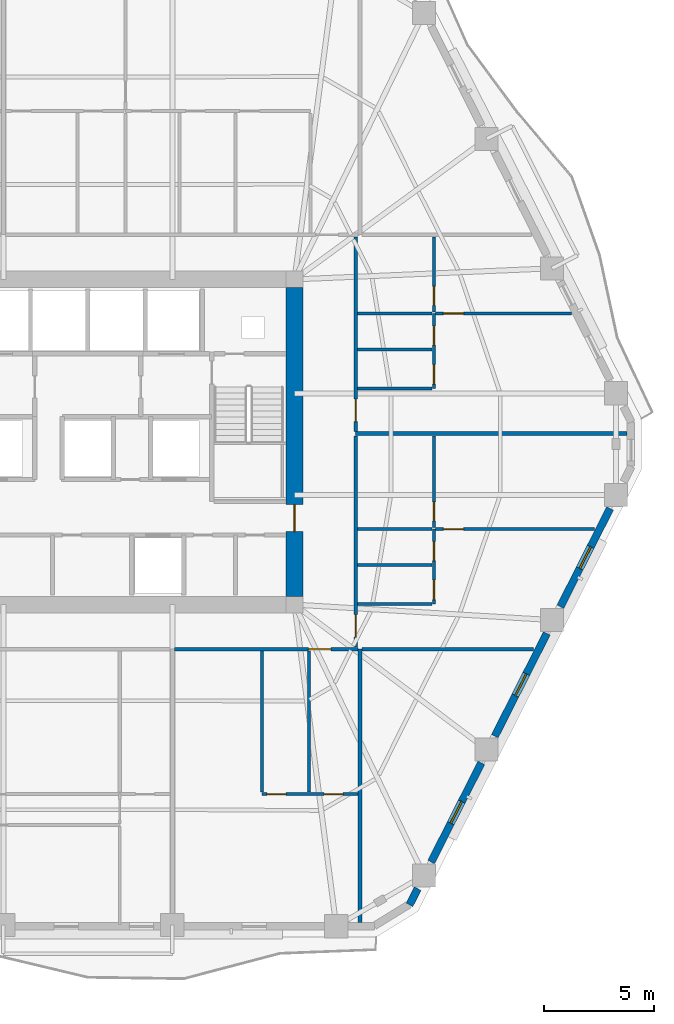
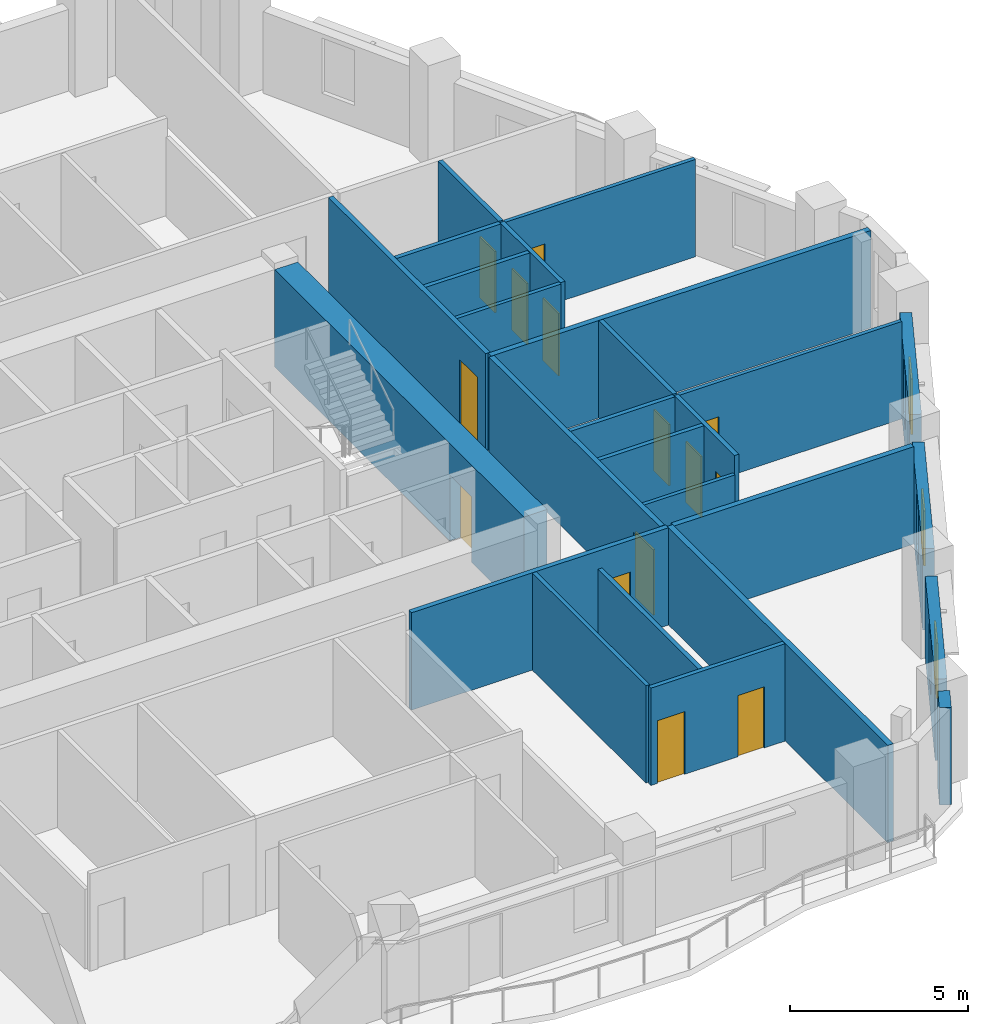
# One storey, part 6 of 12: 26 walls, 14 doors, 3 windows, 17 openings.
"""IFC4 building model written with IfcOpenShell, lengths in metres."""

from ifc_helpers import new_model, si_unit, direction, frame, frame_2d, origin, place, context, subcontext, project, spatial, rectangle, extrude, material, layer, layer_set, type_object, element, fill, save


model = new_model("IFC4")

# Units and contexts
model_context = context("Model", 3, precision=1e-05, world=origin(), true_north=direction((0.0, 1.0)))
body_context = subcontext(model_context, "Body", "Model", "MODEL_VIEW")
ifc_project = project(units=[si_unit("LENGTHUNIT", "METRE"), si_unit("AREAUNIT", "SQUARE_METRE"), si_unit("VOLUMEUNIT", "CUBIC_METRE"), si_unit("PLANEANGLEUNIT", "RADIAN"), si_unit("MASSUNIT", "GRAM", prefix="KILO")], contexts=[model_context])

# Site, building, storey
site_placement = place(None, origin())
site = spatial("IfcSite", under=ifc_project, at=site_placement, CompositionType="ELEMENT")
building_placement = place(site_placement, origin())
building = spatial("IfcBuilding", under=site, at=building_placement, Name="Cinnabar Lancet Tower", CompositionType="ELEMENT")
storey_placement = place(building_placement, frame((0.0, 0.0, 109.050048828125)))
storey = spatial("IfcBuildingStorey", under=building, at=storey_placement, Name="L28", CompositionType="ELEMENT", Elevation=109.050048828125)

# Wall, opening, door
ifc_material_1 = material(Name="Acoustic twin-stud gypsum partition", Category="gypsum")
ifc_layer_1 = layer(ifc_material_1, 0.159912109375)
ifc_layer_set_1 = layer_set([ifc_layer_1], Name="Acoustic twin-stud gypsum partition")
wall_type_1 = type_object("IfcWallType", Name="ARC-WL-CORR-160", PredefinedType="PARTITIONING", material=ifc_layer_set_1)
wall_1_placement = place(storey_placement, frame((36.326904296875, 16.5, 0.0), z_axis=(0.0, 0.0, 1.0), x_axis=(1.0, 0.0, 0.0)))
wall_1 = element("IfcWall", 1, at=wall_1_placement, inside=storey, type_object=wall_type_1, Name="L28 Unit S02 Corridor Wall", PredefinedType="PARTITIONING", context=body_context, shape_type="SweptSolid", body=[
    extrude(rectangle(XDim=8.328125, YDim=0.159912109375, at=frame_2d((4.1640625, 0.0))), origin(), (0.0, 0.0, 1.0), 3.33984375),
])
opening_1_placement = place(wall_1_placement, frame((6.072998046875, 0.0, 0.0)))
opening_1 = element("IfcOpeningElement", 2, at=opening_1_placement, cuts=wall_1, Name="Opening UD-01", PredefinedType="OPENING", context=body_context, shape_type="SweptSolid", body=[
    extrude(rectangle(XDim=1.02001953125, YDim=2.25, at=frame_2d((0.510009765625, 1.125))), frame((0.0, 0.08984375, 0.0), z_axis=(0.0, -1.0, 0.0), x_axis=(1.0, 0.0, 0.0)), (0.0, 0.0, 1.0), 0.179931640625),
])
ifc_material_2 = material(Name="Solid timber fire-rated apartment entrance door", Category="wood")
door_type_1 = type_object("IfcDoorType", Name="ARC-DR-UNIT", OperationType="NOTDEFINED", PredefinedType="DOOR", material=ifc_material_2)
door_1_placement = place(opening_1_placement, origin())
door_1 = element("IfcDoor", 3, at=door_1_placement, inside=storey, type_object=door_type_1, Name="DR-L28-S02-ENT", OperationType="SINGLE_SWING_RIGHT", OverallHeight=2.25, OverallWidth=1.02001953125, PredefinedType="DOOR", context=body_context, shape_type="SweptSolid", body=[
    extrude(rectangle(XDim=1.02001953125, YDim=2.25, at=frame_2d((0.510009765625, 1.125))), frame((0.0, 0.02490234375, 0.0), z_axis=(0.0, -1.0, 0.0), x_axis=(1.0, 0.0, 0.0)), (0.0, 0.0, 1.0), 0.050048828125),
])
fill(opening_1, door_1)

wall_2_placement = place(storey_placement, frame((44.550048828125, 16.594970703125, 0.0), z_axis=(0.0, 0.0, 1.0), x_axis=(0.0, 1.0, 0.0)))
wall_2 = element("IfcWall", 4, at=wall_2_placement, inside=storey, type_object=wall_type_1, Name="UW-L28-E01-COR", PredefinedType="PARTITIONING", context=body_context, shape_type="SweptSolid", body=[
    extrude(rectangle(XDim=9.5859375, YDim=0.159912109375, at=frame_2d((4.79296875, 0.0))), origin(), (0.0, 0.0, 1.0), 3.33984375),
])
opening_2_placement = place(wall_2_placement, frame((0.449951171875, 0.0, 0.0)))
opening_2 = element("IfcOpeningElement", 5, at=opening_2_placement, cuts=wall_2, Name="Opening UD-01", PredefinedType="OPENING", context=body_context, shape_type="SweptSolid", body=[
    extrude(rectangle(XDim=1.02001953125, YDim=2.25, at=frame_2d((0.510009765625, 1.125))), frame((0.0, 0.08984375, 0.0), z_axis=(0.0, -1.0, 0.0), x_axis=(1.0, 0.0, 0.0)), (0.0, 0.0, 1.0), 0.179931640625),
])
door_2_placement = place(opening_2_placement, origin())
door_2 = element("IfcDoor", 6, at=door_2_placement, inside=storey, type_object=door_type_1, Name="DR-L28-E01-ENT", OperationType="SINGLE_SWING_RIGHT", OverallHeight=2.25, OverallWidth=1.02001953125, PredefinedType="DOOR", context=body_context, shape_type="SweptSolid", body=[
    extrude(rectangle(XDim=1.02001953125, YDim=2.25, at=frame_2d((0.510009765625, 1.125))), frame((0.0, 0.02490234375, 0.0), z_axis=(0.0, -1.0, 0.0), x_axis=(1.0, 0.0, 0.0)), (0.0, 0.0, 1.0), 0.050048828125),
])
fill(opening_2, door_2)

wall_3_placement = place(storey_placement, frame((44.550048828125, 26.37109375, 0.0), z_axis=(0.0, 0.0, 1.0), x_axis=(0.0, 1.0, 0.0)))
wall_3 = element("IfcWall", 7, at=wall_3_placement, inside=storey, type_object=wall_type_1, Name="UW-L28-E02-COR", PredefinedType="PARTITIONING", context=body_context, shape_type="SweptSolid", body=[
    extrude(rectangle(XDim=8.833984375, YDim=0.159912109375, at=frame_2d((4.4169921875, 0.0))), origin(), (0.0, 0.0, 1.0), 3.33984375),
])
opening_3_placement = place(wall_3_placement, frame((0.449951171875, 0.0, 0.0)))
opening_3 = element("IfcOpeningElement", 8, at=opening_3_placement, cuts=wall_3, Name="Opening UD-01", PredefinedType="OPENING", context=body_context, shape_type="SweptSolid", body=[
    extrude(rectangle(XDim=1.02001953125, YDim=2.25, at=frame_2d((0.510009765625, 1.125))), frame((0.0, 0.08984375, 0.0), z_axis=(0.0, -1.0, 0.0), x_axis=(1.0, 0.0, 0.0)), (0.0, 0.0, 1.0), 0.179931640625),
])
door_3_placement = place(opening_3_placement, origin())
door_3 = element("IfcDoor", 9, at=door_3_placement, inside=storey, type_object=door_type_1, Name="DR-L28-E02-ENT", OperationType="SINGLE_SWING_LEFT", OverallHeight=2.25, OverallWidth=1.02001953125, PredefinedType="DOOR", context=body_context, shape_type="SweptSolid", body=[
    extrude(rectangle(XDim=1.02001953125, YDim=2.25, at=frame_2d((0.510009765625, 1.125))), frame((0.0, 0.02490234375, 0.0), z_axis=(0.0, -1.0, 0.0), x_axis=(1.0, 0.0, 0.0)), (0.0, 0.0, 1.0), 0.050048828125),
])
fill(opening_3, door_3)

# Walls
ifc_material_3 = material(Name="Fire-rated twin-frame acoustic drywall", Category="gypsum")
ifc_layer_2 = layer(ifc_material_3, 0.179931640625)
ifc_layer_set_2 = layer_set([ifc_layer_2], Name="Fire-rated twin-frame acoustic drywall")
wall_type_2 = type_object("IfcWallType", Name="ARC-WL-PARTY-180", PredefinedType="PARTITIONING", material=ifc_layer_set_2)
wall_4_placement = place(storey_placement, frame((44.75, 4.10498046875, 0.0), z_axis=(0.0, 0.0, 1.0), x_axis=(0.0, 1.0, 0.0)))
element("IfcWall", 10, at=wall_4_placement, inside=storey, type_object=wall_type_2, Name="PW-L28-SPTY-448", PredefinedType="PARTITIONING", context=body_context, shape_type="SweptSolid", body=[
    extrude(rectangle(XDim=12.39501953125, YDim=0.179931640625, at=frame_2d((6.197509765625, 0.0))), origin(), (0.0, 0.0, 1.0), 3.33984375),
])
wall_5_placement = place(storey_placement, frame((44.844970703125, 16.5, 0.0), z_axis=(0.0, 0.0, 1.0), x_axis=(1.0, 0.0, 0.0)))
element("IfcWall", 11, at=wall_5_placement, inside=storey, type_object=wall_type_2, Name="PW-L28-ESB", PredefinedType="PARTITIONING", context=body_context, shape_type="SweptSolid", body=[
    extrude(rectangle(XDim=7.77001953125, YDim=0.179931640625, at=frame_2d((3.885009765625, 0.0))), origin(), (0.0, 0.0, 1.0), 3.33984375),
])
wall_6_placement = place(storey_placement, frame((44.550048828125, 26.27587890625, 0.0), z_axis=(0.0, 0.0, 1.0), x_axis=(1.0, 0.0, 0.0)))
element("IfcWall", 12, at=wall_6_placement, inside=storey, type_object=wall_type_2, Name="PW-L28-EPTY-1", PredefinedType="PARTITIONING", context=body_context, shape_type="SweptSolid", body=[
    extrude(rectangle(XDim=12.307861328125, YDim=0.179931640625, at=frame_2d((6.15380859375, 0.0))), origin(), (0.0, 0.0, 1.0), 3.33984375),
])
ifc_material_4 = material(Name="Gypsum plasterboard stud partition", Category="gypsum")
ifc_layer_3 = layer(ifc_material_4, 0.125)
ifc_layer_set_3 = layer_set([ifc_layer_3], Name="Gypsum plasterboard stud partition")
wall_type_3 = type_object("IfcWallType", Name="ARC-WL-UNIT-125", PredefinedType="PARTITIONING", material=ifc_layer_set_3)
wall_7_placement = place(storey_placement, frame((40.300048828125, 10.035888671875, 0.0), z_axis=(0.0, 0.0, 1.0), x_axis=(0.0, 1.0, 0.0)))
element("IfcWall", 13, at=wall_7_placement, inside=storey, type_object=wall_type_3, Name="UW-L28-S02-FOYE", PredefinedType="PARTITIONING", context=body_context, shape_type="SweptSolid", body=[
    extrude(rectangle(XDim=6.379150390625, YDim=0.125, at=frame_2d((3.189453125, 0.0))), origin(), (0.0, 0.0, 1.0), 3.33984375),
])
wall_8_placement = place(storey_placement, frame((44.635009765625, 18.550048828125, 0.0), z_axis=(0.0, 0.0, 1.0), x_axis=(1.0, 0.0, 0.0)))
element("IfcWall", 14, at=wall_8_placement, inside=storey, type_object=wall_type_3, Name="UW-L28-E01-FOYN", PredefinedType="PARTITIONING", context=body_context, shape_type="SweptSolid", body=[
    extrude(rectangle(XDim=3.3798828125, YDim=0.125, at=frame_2d((1.68994140625, 0.0))), origin(), (0.0, 0.0, 1.0), 2.721923828125),
])

# Wall, opening, door
wall_9_placement = place(storey_placement, frame((48.175048828125, 21.949951171875, 0.0), z_axis=(0.0, 0.0, 1.0), x_axis=(1.0, 0.0, 0.0)))
wall_9 = element("IfcWall", 15, at=wall_9_placement, inside=storey, type_object=wall_type_3, Name="UW-L28-E01-MBN", PredefinedType="PARTITIONING", context=body_context, shape_type="SweptSolid", body=[
    extrude(rectangle(XDim=7.212890625, YDim=0.125, at=frame_2d((3.6064453125, 0.0))), origin(), (0.0, 0.0, 1.0), 3.33984375),
])
opening_4_placement = place(wall_9_placement, frame((0.35009765625, 0.0, 0.0)))
opening_4 = element("IfcOpeningElement", 16, at=opening_4_placement, cuts=wall_9, Name="Opening RD-01", PredefinedType="OPENING", context=body_context, shape_type="SweptSolid", body=[
    extrude(rectangle(XDim=0.919921875, YDim=2.14990234375, at=frame_2d((0.4599609375, 1.074951171875))), frame((0.0, 0.072509765625, 0.0), z_axis=(0.0, -1.0, 0.0), x_axis=(1.0, 0.0, 0.0)), (0.0, 0.0, 1.0), 0.14501953125),
])
ifc_material_5 = material(Name="Engineered timber bedroom door", Category="wood")
door_type_2 = type_object("IfcDoorType", Name="ARC-DR-ROOM", OperationType="NOTDEFINED", PredefinedType="DOOR", material=ifc_material_5)
door_4_placement = place(opening_4_placement, origin())
door_4 = element("IfcDoor", 17, at=door_4_placement, inside=storey, type_object=door_type_2, Name="DR-L28-E01-MBD", OperationType="SINGLE_SWING_RIGHT", OverallHeight=2.14990234375, OverallWidth=0.919921875, PredefinedType="DOOR", context=body_context, shape_type="SweptSolid", body=[
    extrude(rectangle(XDim=0.919921875, YDim=2.14990234375, at=frame_2d((0.4599609375, 1.074951171875))), frame((0.0, 0.02490234375, 0.0), z_axis=(0.0, -1.0, 0.0), x_axis=(1.0, 0.0, 0.0)), (0.0, 0.0, 1.0), 0.050048828125),
])
fill(opening_4, door_4)

# Wall
wall_10_placement = place(storey_placement, frame((44.635009765625, 28.325927734375, 0.0), z_axis=(0.0, 0.0, 1.0), x_axis=(1.0, 0.0, 0.0)))
element("IfcWall", 18, at=wall_10_placement, inside=storey, type_object=wall_type_3, Name="UW-L28-E02-FOYN", PredefinedType="PARTITIONING", context=body_context, shape_type="SweptSolid", body=[
    extrude(rectangle(XDim=3.3798828125, YDim=0.125, at=frame_2d((1.68994140625, 0.0))), origin(), (0.0, 0.0, 1.0), 3.33984375),
])

# Wall, opening, door
wall_11_placement = place(storey_placement, frame((48.175048828125, 31.72607421875, 0.0), z_axis=(0.0, 0.0, 1.0), x_axis=(1.0, 0.0, 0.0)))
wall_11 = element("IfcWall", 19, at=wall_11_placement, inside=storey, type_object=wall_type_3, Name="UW-L28-E02-MBN", PredefinedType="PARTITIONING", context=body_context, shape_type="SweptSolid", body=[
    extrude(rectangle(XDim=6.161865234375, YDim=0.125, at=frame_2d((3.0810546875, 0.0))), origin(), (0.0, 0.0, 1.0), 3.33984375),
])
opening_5_placement = place(wall_11_placement, frame((0.35009765625, 0.0, 0.0)))
opening_5 = element("IfcOpeningElement", 20, at=opening_5_placement, cuts=wall_11, Name="Opening RD-01", PredefinedType="OPENING", context=body_context, shape_type="SweptSolid", body=[
    extrude(rectangle(XDim=0.919921875, YDim=2.14990234375, at=frame_2d((0.4599609375, 1.074951171875))), frame((0.0, 0.072509765625, 0.0), z_axis=(0.0, -1.0, 0.0), x_axis=(1.0, 0.0, 0.0)), (0.0, 0.0, 1.0), 0.14501953125),
])
door_5_placement = place(opening_5_placement, origin())
door_5 = element("IfcDoor", 21, at=door_5_placement, inside=storey, type_object=door_type_2, Name="DR-L28-E02-MBD", OperationType="SINGLE_SWING_LEFT", OverallHeight=2.14990234375, OverallWidth=0.919921875, PredefinedType="DOOR", context=body_context, shape_type="SweptSolid", body=[
    extrude(rectangle(XDim=0.919921875, YDim=2.14990234375, at=frame_2d((0.4599609375, 1.074951171875))), frame((0.0, 0.02490234375, 0.0), z_axis=(0.0, -1.0, 0.0), x_axis=(1.0, 0.0, 0.0)), (0.0, 0.0, 1.0), 0.050048828125),
])
fill(opening_5, door_5)

# Wall, openings, doors
ifc_material_6 = material(Name="Moisture-resistant cement-board plumbing wall", Category="masonry")
ifc_layer_4 = layer(ifc_material_6, 0.139892578125)
ifc_layer_set_4 = layer_set([ifc_layer_4], Name="Moisture-resistant cement-board plumbing wall")
wall_type_4 = type_object("IfcWallType", Name="ARC-WL-WET-140", PredefinedType="PLUMBINGWALL", material=ifc_layer_set_4)
wall_12_placement = place(storey_placement, frame((40.300048828125, 9.930908203125, 0.0), z_axis=(0.0, 0.0, 1.0), x_axis=(1.0, 0.0, 0.0)))
wall_12 = element("IfcWall", 22, at=wall_12_placement, inside=storey, type_object=wall_type_4, Name="UW-L28-S02-SPL", PredefinedType="PLUMBINGWALL", context=body_context, shape_type="SweptSolid", body=[
    extrude(rectangle(XDim=4.35498046875, YDim=0.139892578125, at=frame_2d((2.177490234375, 0.0))), origin(), (0.0, 0.0, 1.0), 3.33984375),
])
opening_6_placement = place(wall_12_placement, frame((2.821044921875, 0.0, 0.0)))
opening_6 = element("IfcOpeningElement", 23, at=opening_6_placement, cuts=wall_12, Name="Opening BD-01", PredefinedType="OPENING", context=body_context, shape_type="SweptSolid", body=[
    extrude(rectangle(XDim=0.860107421875, YDim=2.10009765625, at=frame_2d((0.43017578125, 1.050048828125))), frame((0.0, 0.079833984375, 0.0), z_axis=(0.0, -1.0, 0.0), x_axis=(1.0, 0.0, 0.0)), (0.0, 0.0, 1.0), 0.159912109375),
])
opening_7_placement = place(wall_12_placement, frame((0.219970703125, 0.0, 0.0)))
opening_7 = element("IfcOpeningElement", 24, at=opening_7_placement, cuts=wall_12, Name="Opening RD-02", PredefinedType="OPENING", context=body_context, shape_type="SweptSolid", body=[
    extrude(rectangle(XDim=0.8798828125, YDim=2.14990234375, at=frame_2d((0.43994140625, 1.074951171875))), frame((0.0, 0.079833984375, 0.0), z_axis=(0.0, -1.0, 0.0), x_axis=(1.0, 0.0, 0.0)), (0.0, 0.0, 1.0), 0.159912109375),
])
ifc_material_7 = material(Name="Moisture-resistant timber bathroom door", Category="wood")
door_type_3 = type_object("IfcDoorType", Name="ARC-DR-BATH", OperationType="NOTDEFINED", PredefinedType="DOOR", material=ifc_material_7)
door_6_placement = place(opening_6_placement, origin())
door_6 = element("IfcDoor", 25, at=door_6_placement, inside=storey, type_object=door_type_3, Name="DR-L28-S02-BTH", OperationType="SINGLE_SWING_RIGHT", OverallHeight=2.10009765625, OverallWidth=0.860107421875, PredefinedType="DOOR", context=body_context, shape_type="SweptSolid", body=[
    extrude(rectangle(XDim=0.860107421875, YDim=2.10009765625, at=frame_2d((0.43017578125, 1.050048828125))), frame((0.0, 0.02490234375, 0.0), z_axis=(0.0, -1.0, 0.0), x_axis=(1.0, 0.0, 0.0)), (0.0, 0.0, 1.0), 0.050048828125),
])
fill(opening_6, door_6)
ifc_material_8 = material(Name="Engineered timber study door", Category="wood")
door_type_4 = type_object("IfcDoorType", Name="ARC-DR-STUDY", OperationType="NOTDEFINED", PredefinedType="DOOR", material=ifc_material_8)
door_7_placement = place(opening_7_placement, origin())
door_7 = element("IfcDoor", 26, at=door_7_placement, inside=storey, type_object=door_type_4, Name="DR-L28-S02-KIT", OperationType="SINGLE_SWING_LEFT", OverallHeight=2.14990234375, OverallWidth=0.8798828125, PredefinedType="DOOR", context=body_context, shape_type="SweptSolid", body=[
    extrude(rectangle(XDim=0.8798828125, YDim=2.14990234375, at=frame_2d((0.43994140625, 1.074951171875))), frame((0.0, 0.02490234375, 0.0), z_axis=(0.0, -1.0, 0.0), x_axis=(1.0, 0.0, 0.0)), (0.0, 0.0, 1.0), 0.050048828125),
])
fill(opening_7, door_7)

# Wall
wall_13_placement = place(storey_placement, frame((42.43603515625, 10.035888671875, 0.0), z_axis=(0.0, 0.0, 1.0), x_axis=(0.0, 1.0, 0.0)))
element("IfcWall", 27, at=wall_13_placement, inside=storey, type_object=wall_type_4, Name="UW-L28-S02-KDV", PredefinedType="PLUMBINGWALL", context=body_context, shape_type="SweptSolid", body=[
    extrude(rectangle(XDim=6.379150390625, YDim=0.139892578125, at=frame_2d((3.189453125, 0.0))), origin(), (0.0, 0.0, 1.0), 2.721923828125),
])

# Wall, openings, doors
wall_14_placement = place(storey_placement, frame((48.10009765625, 18.550048828125, 0.0), z_axis=(0.0, 0.0, 1.0), x_axis=(0.0, 1.0, 0.0)))
wall_14 = element("IfcWall", 28, at=wall_14_placement, inside=storey, type_object=wall_type_4, Name="UW-L28-E01-SPL", PredefinedType="PLUMBINGWALL", context=body_context, shape_type="SweptSolid", body=[
    extrude(rectangle(XDim=3.39990234375, YDim=0.139892578125, at=frame_2d((1.699951171875, 0.0))), origin(), (0.0, 0.0, 1.0), 3.33984375),
])
opening_8_placement = place(wall_14_placement, frame((0.199951171875, 0.0, 0.0)))
opening_8 = element("IfcOpeningElement", 29, at=opening_8_placement, cuts=wall_14, Name="Opening RD-02", PredefinedType="OPENING", context=body_context, shape_type="SweptSolid", body=[
    extrude(rectangle(XDim=0.8798828125, YDim=2.14990234375, at=frame_2d((0.43994140625, 1.074951171875))), frame((0.0, 0.079833984375, 0.0), z_axis=(0.0, -1.0, 0.0), x_axis=(1.0, 0.0, 0.0)), (0.0, 0.0, 1.0), 0.159912109375),
])
opening_9_placement = place(wall_14_placement, frame((1.968017578125, 0.0, 0.0)))
opening_9 = element("IfcOpeningElement", 30, at=opening_9_placement, cuts=wall_14, Name="Opening BD-01", PredefinedType="OPENING", context=body_context, shape_type="SweptSolid", body=[
    extrude(rectangle(XDim=0.860107421875, YDim=2.10009765625, at=frame_2d((0.43017578125, 1.050048828125))), frame((0.0, 0.079833984375, 0.0), z_axis=(0.0, -1.0, 0.0), x_axis=(1.0, 0.0, 0.0)), (0.0, 0.0, 1.0), 0.159912109375),
])
door_8_placement = place(opening_9_placement, origin())
door_8 = element("IfcDoor", 31, at=door_8_placement, inside=storey, type_object=door_type_3, Name="DR-L28-E01-BTH", OperationType="SINGLE_SWING_RIGHT", OverallHeight=2.10009765625, OverallWidth=0.860107421875, PredefinedType="DOOR", context=body_context, shape_type="SweptSolid", body=[
    extrude(rectangle(XDim=0.860107421875, YDim=2.10009765625, at=frame_2d((0.43017578125, 1.050048828125))), frame((0.0, 0.02490234375, 0.0), z_axis=(0.0, -1.0, 0.0), x_axis=(1.0, 0.0, 0.0)), (0.0, 0.0, 1.0), 0.050048828125),
])
fill(opening_9, door_8)
door_9_placement = place(opening_8_placement, origin())
door_9 = element("IfcDoor", 32, at=door_9_placement, inside=storey, type_object=door_type_4, Name="DR-L28-E01-KIT", OperationType="SINGLE_SWING_LEFT", OverallHeight=2.14990234375, OverallWidth=0.8798828125, PredefinedType="DOOR", context=body_context, shape_type="SweptSolid", body=[
    extrude(rectangle(XDim=0.8798828125, YDim=2.14990234375, at=frame_2d((0.43994140625, 1.074951171875))), frame((0.0, 0.02490234375, 0.0), z_axis=(0.0, -1.0, 0.0), x_axis=(1.0, 0.0, 0.0)), (0.0, 0.0, 1.0), 0.050048828125),
])
fill(opening_8, door_9)

# Wall, opening, door
wall_15_placement = place(storey_placement, frame((48.10009765625, 22.02001953125, 0.0), z_axis=(0.0, 0.0, 1.0), x_axis=(0.0, 1.0, 0.0)))
wall_15 = element("IfcWall", 33, at=wall_15_placement, inside=storey, type_object=wall_type_4, Name="UW-L28-E01-SPM", PredefinedType="PLUMBINGWALL", context=body_context, shape_type="SweptSolid", body=[
    extrude(rectangle(XDim=4.160888671875, YDim=0.139892578125, at=frame_2d((2.08056640625, 0.0))), origin(), (0.0, 0.0, 1.0), 3.33984375),
])
opening_10_placement = place(wall_15_placement, frame((0.300048828125, 0.0, 0.0)))
opening_10 = element("IfcOpeningElement", 34, at=opening_10_placement, cuts=wall_15, Name="Opening BD-01", PredefinedType="OPENING", context=body_context, shape_type="SweptSolid", body=[
    extrude(rectangle(XDim=0.860107421875, YDim=2.10009765625, at=frame_2d((0.43017578125, 1.050048828125))), frame((0.0, 0.079833984375, 0.0), z_axis=(0.0, -1.0, 0.0), x_axis=(1.0, 0.0, 0.0)), (0.0, 0.0, 1.0), 0.159912109375),
])
door_10_placement = place(opening_10_placement, origin())
door_10 = element("IfcDoor", 35, at=door_10_placement, inside=storey, type_object=door_type_3, Name="DR-L28-E01-ENS", OperationType="SINGLE_SWING_RIGHT", OverallHeight=2.10009765625, OverallWidth=0.860107421875, PredefinedType="DOOR", context=body_context, shape_type="SweptSolid", body=[
    extrude(rectangle(XDim=0.860107421875, YDim=2.10009765625, at=frame_2d((0.43017578125, 1.050048828125))), frame((0.0, 0.02490234375, 0.0), z_axis=(0.0, -1.0, 0.0), x_axis=(1.0, 0.0, 0.0)), (0.0, 0.0, 1.0), 0.050048828125),
])
fill(opening_10, door_10)

# Walls
for number, where, z_axis, x_axis, name in (
    (36, (44.635009765625, 21.949951171875, 0.0), (0.0, 0.0, 1.0), (1.0, 0.0, 0.0), "UW-L28-E01-ENSN"),
    (37, (44.635009765625, 20.318115234375, 0.0), (0.0, 0.0, 1.0), (1.0, 0.0, 0.0), "UW-L28-E01-KDV"),
):
    element("IfcWall", number, at=place(storey_placement, frame(where, z_axis=z_axis, x_axis=x_axis)), inside=storey, type_object=wall_type_4, Name=name, PredefinedType="PLUMBINGWALL", context=body_context, shape_type="SweptSolid", body=[
        extrude(rectangle(XDim=3.3798828125, YDim=0.139892578125, at=frame_2d((1.68994140625, 0.0))), origin(), (0.0, 0.0, 1.0), 3.33984375),
    ])

# Wall, openings, doors
wall_16_placement = place(storey_placement, frame((48.10009765625, 28.325927734375, 0.0), z_axis=(0.0, 0.0, 1.0), x_axis=(0.0, 1.0, 0.0)))
wall_16 = element("IfcWall", 38, at=wall_16_placement, inside=storey, type_object=wall_type_4, Name="UW-L28-E02-SPL", PredefinedType="PLUMBINGWALL", context=body_context, shape_type="SweptSolid", body=[
    extrude(rectangle(XDim=3.400146484375, YDim=0.139892578125, at=frame_2d((1.7001953125, 0.0))), origin(), (0.0, 0.0, 1.0), 3.33984375),
])
opening_11_placement = place(wall_16_placement, frame((0.199951171875, 0.0, 0.0)))
opening_11 = element("IfcOpeningElement", 39, at=opening_11_placement, cuts=wall_16, Name="Opening RD-02", PredefinedType="OPENING", context=body_context, shape_type="SweptSolid", body=[
    extrude(rectangle(XDim=0.8798828125, YDim=2.14990234375, at=frame_2d((0.43994140625, 1.074951171875))), frame((0.0, 0.079833984375, 0.0), z_axis=(0.0, -1.0, 0.0), x_axis=(1.0, 0.0, 0.0)), (0.0, 0.0, 1.0), 0.159912109375),
])
opening_12_placement = place(wall_16_placement, frame((1.968017578125, 0.0, 0.0)))
opening_12 = element("IfcOpeningElement", 40, at=opening_12_placement, cuts=wall_16, Name="Opening BD-01", PredefinedType="OPENING", context=body_context, shape_type="SweptSolid", body=[
    extrude(rectangle(XDim=0.860107421875, YDim=2.10009765625, at=frame_2d((0.43017578125, 1.050048828125))), frame((0.0, 0.079833984375, 0.0), z_axis=(0.0, -1.0, 0.0), x_axis=(1.0, 0.0, 0.0)), (0.0, 0.0, 1.0), 0.159912109375),
])
door_11_placement = place(opening_12_placement, origin())
door_11 = element("IfcDoor", 41, at=door_11_placement, inside=storey, type_object=door_type_3, Name="DR-L28-E02-BTH", OperationType="SINGLE_SWING_LEFT", OverallHeight=2.10009765625, OverallWidth=0.860107421875, PredefinedType="DOOR", context=body_context, shape_type="SweptSolid", body=[
    extrude(rectangle(XDim=0.860107421875, YDim=2.10009765625, at=frame_2d((0.43017578125, 1.050048828125))), frame((0.0, 0.02490234375, 0.0), z_axis=(0.0, -1.0, 0.0), x_axis=(1.0, 0.0, 0.0)), (0.0, 0.0, 1.0), 0.050048828125),
])
fill(opening_12, door_11)
door_12_placement = place(opening_11_placement, origin())
door_12 = element("IfcDoor", 42, at=door_12_placement, inside=storey, type_object=door_type_4, Name="DR-L28-E02-KIT", OperationType="SINGLE_SWING_RIGHT", OverallHeight=2.14990234375, OverallWidth=0.8798828125, PredefinedType="DOOR", context=body_context, shape_type="SweptSolid", body=[
    extrude(rectangle(XDim=0.8798828125, YDim=2.14990234375, at=frame_2d((0.43994140625, 1.074951171875))), frame((0.0, 0.02490234375, 0.0), z_axis=(0.0, -1.0, 0.0), x_axis=(1.0, 0.0, 0.0)), (0.0, 0.0, 1.0), 0.050048828125),
])
fill(opening_11, door_12)

# Wall, opening, door
wall_17_placement = place(storey_placement, frame((48.10009765625, 31.7958984375, 0.0), z_axis=(0.0, 0.0, 1.0), x_axis=(0.0, 1.0, 0.0)))
wall_17 = element("IfcWall", 43, at=wall_17_placement, inside=storey, type_object=wall_type_4, Name="UW-L28-E02-SPM", PredefinedType="PLUMBINGWALL", context=body_context, shape_type="SweptSolid", body=[
    extrude(rectangle(XDim=3.4091796875, YDim=0.139892578125, at=frame_2d((1.70458984375, 0.0))), origin(), (0.0, 0.0, 1.0), 3.33984375),
])
opening_13_placement = place(wall_17_placement, frame((0.300048828125, 0.0, 0.0)))
opening_13 = element("IfcOpeningElement", 44, at=opening_13_placement, cuts=wall_17, Name="Opening BD-01", PredefinedType="OPENING", context=body_context, shape_type="SweptSolid", body=[
    extrude(rectangle(XDim=0.860107421875, YDim=2.10009765625, at=frame_2d((0.43017578125, 1.050048828125))), frame((0.0, 0.079833984375, 0.0), z_axis=(0.0, -1.0, 0.0), x_axis=(1.0, 0.0, 0.0)), (0.0, 0.0, 1.0), 0.159912109375),
])
door_13_placement = place(opening_13_placement, origin())
door_13 = element("IfcDoor", 45, at=door_13_placement, inside=storey, type_object=door_type_3, Name="DR-L28-E02-ENS", OperationType="SINGLE_SWING_LEFT", OverallHeight=2.10009765625, OverallWidth=0.860107421875, PredefinedType="DOOR", context=body_context, shape_type="SweptSolid", body=[
    extrude(rectangle(XDim=0.860107421875, YDim=2.10009765625, at=frame_2d((0.43017578125, 1.050048828125))), frame((0.0, 0.02490234375, 0.0), z_axis=(0.0, -1.0, 0.0), x_axis=(1.0, 0.0, 0.0)), (0.0, 0.0, 1.0), 0.050048828125),
])
fill(opening_13, door_13)

# Walls
for number, where, z_axis, x_axis, name in (
    (46, (44.635009765625, 31.72607421875, 0.0), (0.0, 0.0, 1.0), (1.0, 0.0, 0.0), "UW-L28-E02-ENSN"),
    (47, (44.635009765625, 30.093994140625, 0.0), (0.0, 0.0, 1.0), (1.0, 0.0, 0.0), "UW-L28-E02-KDV"),
):
    element("IfcWall", number, at=place(storey_placement, frame(where, z_axis=z_axis, x_axis=x_axis)), inside=storey, type_object=wall_type_4, Name=name, PredefinedType="PLUMBINGWALL", context=body_context, shape_type="SweptSolid", body=[
        extrude(rectangle(XDim=3.3798828125, YDim=0.139892578125, at=frame_2d((1.68994140625, 0.0))), origin(), (0.0, 0.0, 1.0), 3.33984375),
    ])
ifc_material_9 = material(Name="Cinnabar red clay brick", Category="masonry")
ifc_layer_5 = layer(ifc_material_9, 0.340087890625)
ifc_layer_set_5 = layer_set([ifc_layer_5], Name="Cinnabar red clay brick")
wall_type_5 = type_object("IfcWallType", Name="ENV-WL-BRK-RED-340", PredefinedType="STANDARD", material=ifc_layer_set_5)
wall_18_placement = place(storey_placement, frame((46.990966796875, 4.906982421875, 0.0), z_axis=(0.0, 0.0, 1.0), x_axis=(0.45172514337, 0.892157158155, 0.0)))
element("IfcWall", 48, at=wall_18_placement, inside=storey, type_object=wall_type_5, Name="L28 Face 2 Masonry Bay Wall 1", PredefinedType="STANDARD", context=body_context, shape_type="SweptSolid", body=[
    extrude(rectangle(XDim=0.821533203125, YDim=0.340087890625, at=frame_2d((0.41064453125, 0.0))), origin(), (0.0, 0.0, 1.0), 3.33984375),
])

# Wall, opening, window
wall_19_placement = place(storey_placement, frame((47.97509765625, 6.85205078125, 0.0), z_axis=(0.0, 0.0, 1.0), x_axis=(0.451548465867, 0.892246593142, 0.0)))
wall_19 = element("IfcWall", 49, at=wall_19_placement, inside=storey, type_object=wall_type_5, Name="L28 Face 2 Masonry Bay Wall 2", PredefinedType="STANDARD", context=body_context, shape_type="SweptSolid", body=[
    extrude(rectangle(XDim=5.040283203125, YDim=0.340087890625, at=frame_2d((2.52001953125, 0.0))), origin(), (0.0, 0.0, 1.0), 2.796875),
])
opening_14_placement = place(wall_19_placement, frame((1.969970703125, 0.0, 0.75)))
opening_14 = element("IfcOpeningElement", 50, at=opening_14_placement, cuts=wall_19, Name="Opening WN-04", PredefinedType="OPENING", context=body_context, shape_type="SweptSolid", body=[
    extrude(rectangle(XDim=1.10009765625, YDim=1.89697265625, at=frame_2d((0.550048828125, 0.948486328125))), frame((0.0, 0.179931640625, 0.0), z_axis=(0.0, -1.0, 0.0), x_axis=(1.0, 0.0, 0.0)), (0.0, 0.0, 1.0), 0.360107421875),
])
ifc_material_10 = material(Name="Thermally broken bronze-anodized aluminium tall lancet window", Category="aluminium")
window_type = type_object("IfcWindowType", Name="ENV-WN-LANCET-1100", PartitioningType="SINGLE_PANEL", PredefinedType="WINDOW", material=ifc_material_10)
window_1_placement = place(opening_14_placement, origin())
window_1 = element("IfcWindow", 51, at=window_1_placement, inside=storey, type_object=window_type, Name="L28 Face 2 Gothic Lancet Window 2", OverallHeight=1.89697265625, OverallWidth=1.10009765625, PartitioningType="SINGLE_PANEL", PredefinedType="WINDOW", context=body_context, shape_type="SweptSolid", body=[
    extrude(rectangle(XDim=1.10009765625, YDim=1.89697265625, at=frame_2d((0.550048828125, 0.948486328125))), frame((0.0, 0.030029296875, 0.0), z_axis=(0.0, -1.0, 0.0), x_axis=(1.0, 0.0, 0.0)), (0.0, 0.0, 1.0), 0.06005859375),
])
fill(opening_14, window_1)

wall_20_placement = place(storey_placement, frame((50.863037109375, 12.56103515625, 0.0), z_axis=(0.0, 0.0, 1.0), x_axis=(0.451567731634, 0.892236842855, 0.0)))
wall_20 = element("IfcWall", 52, at=wall_20_placement, inside=storey, type_object=wall_type_5, Name="L28 Face 2 Masonry Bay Wall 3", PredefinedType="STANDARD", context=body_context, shape_type="SweptSolid", body=[
    extrude(rectangle(XDim=5.219482421875, YDim=0.340087890625, at=frame_2d((2.60986328125, 0.0))), origin(), (0.0, 0.0, 1.0), 2.796875),
])
opening_15_placement = place(wall_20_placement, frame((2.06005859375, 0.0, 0.75)))
opening_15 = element("IfcOpeningElement", 53, at=opening_15_placement, cuts=wall_20, Name="Opening WN-04", PredefinedType="OPENING", context=body_context, shape_type="SweptSolid", body=[
    extrude(rectangle(XDim=1.10009765625, YDim=1.89697265625, at=frame_2d((0.550048828125, 0.948486328125))), frame((0.0, 0.179931640625, 0.0), z_axis=(0.0, -1.0, 0.0), x_axis=(1.0, 0.0, 0.0)), (0.0, 0.0, 1.0), 0.360107421875),
])
window_2_placement = place(opening_15_placement, origin())
window_2 = element("IfcWindow", 54, at=window_2_placement, inside=storey, type_object=window_type, Name="L28 Face 2 Gothic Lancet Window 3", OverallHeight=1.89697265625, OverallWidth=1.10009765625, PartitioningType="SINGLE_PANEL", PredefinedType="WINDOW", context=body_context, shape_type="SweptSolid", body=[
    extrude(rectangle(XDim=1.10009765625, YDim=1.89697265625, at=frame_2d((0.550048828125, 0.948486328125))), frame((0.0, 0.030029296875, 0.0), z_axis=(0.0, -1.0, 0.0), x_axis=(1.0, 0.0, 0.0)), (0.0, 0.0, 1.0), 0.06005859375),
])
fill(opening_15, window_2)

wall_21_placement = place(storey_placement, frame((53.83203125, 18.427978515625, 0.0), z_axis=(0.0, 0.0, 1.0), x_axis=(0.451431617681, 0.892305718102, 0.0)))
wall_21 = element("IfcWall", 55, at=wall_21_placement, inside=storey, type_object=wall_type_5, Name="L28 Face 2 Masonry Bay Wall 4", PredefinedType="STANDARD", context=body_context, shape_type="SweptSolid", body=[
    extrude(rectangle(XDim=4.994873046875, YDim=0.340087890625, at=frame_2d((2.49755859375, 0.0))), origin(), (0.0, 0.0, 1.0), 2.796875),
])
opening_16_placement = place(wall_21_placement, frame((1.947021484375, 0.0, 0.75)))
opening_16 = element("IfcOpeningElement", 56, at=opening_16_placement, cuts=wall_21, Name="Opening WN-04", PredefinedType="OPENING", context=body_context, shape_type="SweptSolid", body=[
    extrude(rectangle(XDim=1.10009765625, YDim=1.89697265625, at=frame_2d((0.550048828125, 0.948486328125))), frame((0.0, 0.179931640625, 0.0), z_axis=(0.0, -1.0, 0.0), x_axis=(1.0, 0.0, 0.0)), (0.0, 0.0, 1.0), 0.360107421875),
])
window_3_placement = place(opening_16_placement, origin())
window_3 = element("IfcWindow", 57, at=window_3_placement, inside=storey, type_object=window_type, Name="L28 Face 2 Gothic Lancet Window 4", OverallHeight=1.89697265625, OverallWidth=1.10009765625, PartitioningType="SINGLE_PANEL", PredefinedType="WINDOW", context=body_context, shape_type="SweptSolid", body=[
    extrude(rectangle(XDim=1.10009765625, YDim=1.89697265625, at=frame_2d((0.550048828125, 0.948486328125))), frame((0.0, 0.030029296875, 0.0), z_axis=(0.0, -1.0, 0.0), x_axis=(1.0, 0.0, 0.0)), (0.0, 0.0, 1.0), 0.06005859375),
])
fill(opening_16, window_3)

# Wall, opening, door
ifc_material_11 = material(Name="Concrete C70/85", Category="concrete")
ifc_layer_6 = layer(ifc_material_11, 0.75)
ifc_layer_set_6 = layer_set([ifc_layer_6], Name="Concrete C70/85")
wall_type_6 = type_object("IfcWallType", Name="STR-WL-CORE-750", PredefinedType="SHEAR", material=ifc_layer_set_6)
wall_22_placement = place(storey_placement, frame((41.77490234375, 18.89990234375, 0.0), z_axis=(0.0, 0.0, 1.0), x_axis=(0.0, 1.0, 0.0)))
wall_22 = element("IfcWall", 58, at=wall_22_placement, inside=storey, type_object=wall_type_6, Name="L28 Core Shear Wall E", PredefinedType="SHEAR", context=body_context, shape_type="SweptSolid", body=[
    extrude(rectangle(XDim=14.0, YDim=0.75, at=frame_2d((7.0, 0.0))), origin(), (0.0, 0.0, 1.0), 3.33984375),
])
opening_17_placement = place(wall_22_placement, frame((2.93994140625, 0.0, 0.0)))
opening_17 = element("IfcOpeningElement", 59, at=opening_17_placement, cuts=wall_22, Name="Opening FD-02", PredefinedType="OPENING", context=body_context, shape_type="SweptSolid", body=[
    extrude(rectangle(XDim=1.219970703125, YDim=2.25, at=frame_2d((0.60986328125, 1.125))), frame((0.0, 0.385009765625, 0.0), z_axis=(0.0, -1.0, 0.0), x_axis=(1.0, 0.0, 0.0)), (0.0, 0.0, 1.0), 0.77001953125),
])
ifc_material_12 = material(Name="Fire-rated double-vision core portal door", Category="wood")
door_type_5 = type_object("IfcDoorType", Name="ARC-DR-CPORT", OperationType="NOTDEFINED", PredefinedType="DOOR", material=ifc_material_12)
door_14_placement = place(opening_17_placement, origin())
door_14 = element("IfcDoor", 60, at=door_14_placement, inside=storey, type_object=door_type_5, Name="L28 East Core Lobby Fire Door", OperationType="SINGLE_SWING_LEFT", OverallHeight=2.25, OverallWidth=1.219970703125, PredefinedType="DOOR", context=body_context, shape_type="SweptSolid", body=[
    extrude(rectangle(XDim=1.219970703125, YDim=2.25, at=frame_2d((0.60986328125, 1.125))), frame((0.0, 0.02490234375, 0.0), z_axis=(0.0, -1.0, 0.0), x_axis=(1.0, 0.0, 0.0)), (0.0, 0.0, 1.0), 0.050048828125),
])
fill(opening_17, door_14)

save(model, "model.ifc")
